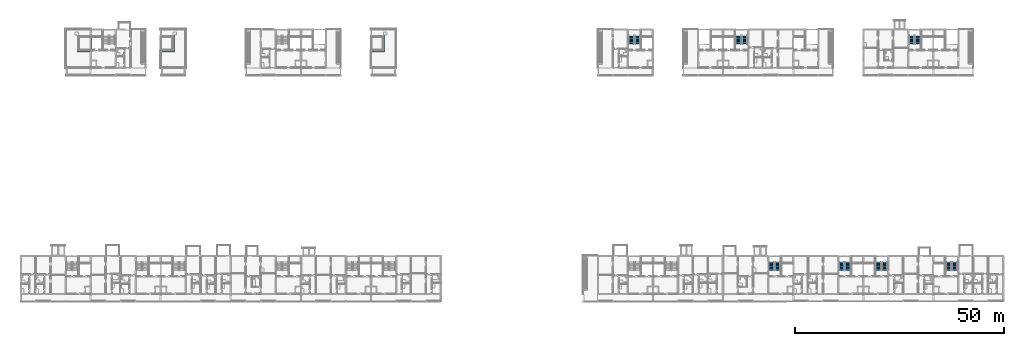
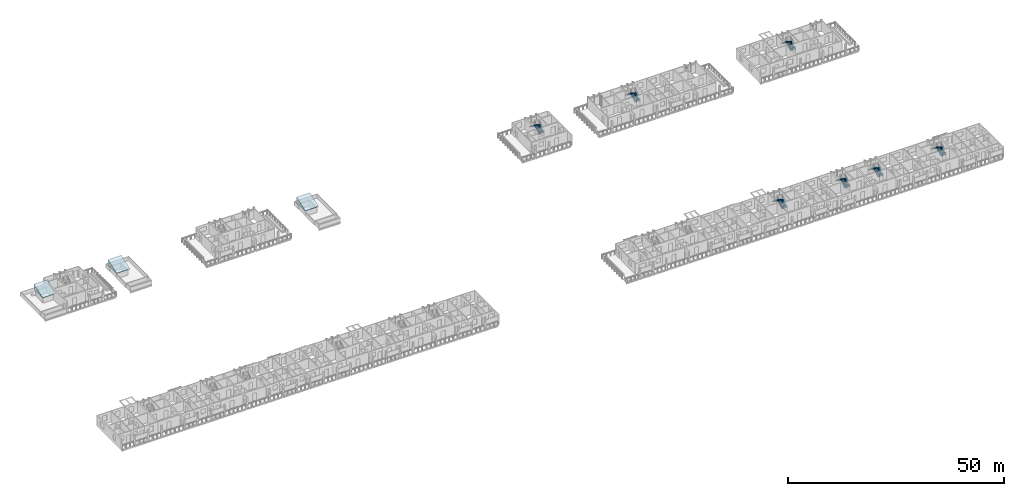
# One storey, part 63 of 87: 14 stair flights, 3 roofs, 7 elements without a shape of their own.
"""IFC4 building model written with IfcOpenShell, lengths in metres."""

from ifc_helpers import new_model, si_unit, direction, frame, origin, place, context, subcontext, project, spatial, polyline, outline, extrude, material, type_object, element, aggregate, save


model = new_model("IFC4")

# Units and contexts
model_context = context("Model", 3, precision=1e-05, world=origin(), true_north=direction((0.0, 1.0)))
body_context = subcontext(model_context, "Body", "Model", "MODEL_VIEW")
ifc_project = project(units=[si_unit("LENGTHUNIT", "METRE"), si_unit("AREAUNIT", "SQUARE_METRE"), si_unit("VOLUMEUNIT", "CUBIC_METRE"), si_unit("PLANEANGLEUNIT", "RADIAN"), si_unit("MASSUNIT", "GRAM", prefix="KILO")], contexts=[model_context])

# Site, building, storey
site_placement = place(None, origin())
site = spatial("IfcSite", under=ifc_project, at=site_placement, CompositionType="ELEMENT")
building_placement = place(site_placement, origin())
building = spatial("IfcBuilding", under=site, at=building_placement, Name="Ridgestep Commons", CompositionType="ELEMENT")
storey_placement = place(building_placement, frame((0.0, 0.0, 27.0)))
storey = spatial("IfcBuildingStorey", under=building, at=storey_placement, Name="L09", CompositionType="ELEMENT", Elevation=27.0)

# Stair, stair flights
ifc_material_1 = material(Name="Precast concrete C40/50", Category="concrete")
stair_type = type_object("IfcStairType", Name="Escape stair 1400", PredefinedType="HALF_TURN_STAIR", material=ifc_material_1)
stair_1_placement = place(storey_placement, origin())
stair_1 = element("IfcStair", 1, at=stair_1_placement, inside=storey, type_object=stair_type, Name="L09 Escape stair C1C", PredefinedType="HALF_TURN_STAIR")
ifc_material_2 = material(Name="Precast concrete C40/50", Category="concrete")
stair_flight_type = type_object("IfcStairFlightType", Name="Stair flight 1400", PredefinedType="STRAIGHT", material=ifc_material_2)
stair_flight_1_placement = place(storey_placement, frame((159.925048828125, 73.60009765625, 0.0), z_axis=(0.0, 0.0, 1.0), x_axis=(0.0, 1.0, 0.0)))
stair_flight_1 = element("IfcStairFlight", 2, at=stair_flight_1_placement, type_object=stair_flight_type, Name="C1C flight 1", NumberOfRisers=8, NumberOfTreads=7, PredefinedType="STRAIGHT", RiserHeight=0.1875, TreadLength=0.28, context=body_context, shape_type="SweptSolid", body=[
    extrude(outline(polyline([(0.0, 0.0), (0.0, 0.1875), (0.280029296875, 0.1875), (0.280029296875, 0.375), (0.56005859375, 0.375), (0.56005859375, 0.5625), (0.840087890625, 0.5625), (0.840087890625, 0.75), (1.1201171875, 0.75), (1.1201171875, 0.9375), (1.39990234375, 0.9375), (1.39990234375, 1.125), (1.679931640625, 1.125), (1.679931640625, 1.3125), (1.9599609375, 1.3125), (1.9599609375, 1.5), (1.9599609375, 1.132080078125), (0.26953125, 0.0), (0.0, 0.0)])), frame((0.0, 0.699951171875, 0.0), z_axis=(0.0, -1.0, 0.0), x_axis=(1.0, 0.0, 0.0)), (0.0, 0.0, 1.0), 0.695068359375),
    extrude(outline(polyline([(0.0, 0.0), (0.0, 0.1875), (0.280029296875, 0.1875), (0.280029296875, 0.375), (0.56005859375, 0.375), (0.56005859375, 0.5625), (0.840087890625, 0.5625), (0.840087890625, 0.75), (1.1201171875, 0.75), (1.1201171875, 0.9375), (1.39990234375, 0.9375), (1.39990234375, 1.125), (1.679931640625, 1.125), (1.679931640625, 1.3125), (1.9599609375, 1.3125), (1.9599609375, 1.5), (1.9599609375, 1.132080078125), (0.26953125, 0.0), (0.0, 0.0)])), frame((0.0, -0.0048828125, 0.0), z_axis=(0.0, -1.0, 0.0), x_axis=(1.0, 0.0, 0.0)), (0.0, 0.0, 1.0), 0.695068359375),
])
stair_flight_2_placement = place(storey_placement, frame((158.425048828125, 75.56005859375, 1.5), z_axis=(0.0, 0.0, 1.0), x_axis=(0.0, -1.0, 0.0)))
stair_flight_2 = element("IfcStairFlight", 3, at=stair_flight_2_placement, type_object=stair_flight_type, Name="C1C flight 2", NumberOfRisers=8, NumberOfTreads=7, PredefinedType="STRAIGHT", RiserHeight=0.1875, TreadLength=0.28, context=body_context, shape_type="SweptSolid", body=[
    extrude(outline(polyline([(0.0, 0.0), (0.0, 0.1875), (0.280029296875, 0.1875), (0.280029296875, 0.375), (0.56005859375, 0.375), (0.56005859375, 0.5625), (0.840087890625, 0.5625), (0.840087890625, 0.75), (1.1201171875, 0.75), (1.1201171875, 0.9375), (1.39990234375, 0.9375), (1.39990234375, 1.125), (1.679931640625, 1.125), (1.679931640625, 1.3125), (1.9599609375, 1.3125), (1.9599609375, 1.5), (1.9599609375, 1.132080078125), (0.26953125, 0.0), (0.0, 0.0)])), frame((0.0, 0.699951171875, 0.0), z_axis=(0.0, -1.0, 0.0), x_axis=(1.0, 0.0, 0.0)), (0.0, 0.0, 1.0), 0.695068359375),
    extrude(outline(polyline([(0.0, 0.0), (0.0, 0.1875), (0.280029296875, 0.1875), (0.280029296875, 0.375), (0.56005859375, 0.375), (0.56005859375, 0.5625), (0.840087890625, 0.5625), (0.840087890625, 0.75), (1.1201171875, 0.75), (1.1201171875, 0.9375), (1.39990234375, 0.9375), (1.39990234375, 1.125), (1.679931640625, 1.125), (1.679931640625, 1.3125), (1.9599609375, 1.3125), (1.9599609375, 1.5), (1.9599609375, 1.132080078125), (0.26953125, 0.0), (0.0, 0.0)])), frame((0.0, -0.0048828125, 0.0), z_axis=(0.0, -1.0, 0.0), x_axis=(1.0, 0.0, 0.0)), (0.0, 0.0, 1.0), 0.695068359375),
])
aggregate(stair_1, [stair_flight_1, stair_flight_2])

stair_2_placement = place(storey_placement, origin())
stair_2 = element("IfcStair", 4, at=stair_2_placement, inside=storey, type_object=stair_type, Name="L09 Escape stair C3C", PredefinedType="HALF_TURN_STAIR")
stair_flight_3_placement = place(storey_placement, frame((185.574951171875, 73.60009765625, 0.0), z_axis=(0.0, 0.0, 1.0), x_axis=(0.0, 1.0, 0.0)))
stair_flight_3 = element("IfcStairFlight", 5, at=stair_flight_3_placement, type_object=stair_flight_type, Name="C3C flight 1", NumberOfRisers=8, NumberOfTreads=7, PredefinedType="STRAIGHT", RiserHeight=0.1875, TreadLength=0.28, context=body_context, shape_type="SweptSolid", body=[
    extrude(outline(polyline([(0.0, 0.0), (0.0, 0.1875), (0.280029296875, 0.1875), (0.280029296875, 0.375), (0.56005859375, 0.375), (0.56005859375, 0.5625), (0.840087890625, 0.5625), (0.840087890625, 0.75), (1.1201171875, 0.75), (1.1201171875, 0.9375), (1.39990234375, 0.9375), (1.39990234375, 1.125), (1.679931640625, 1.125), (1.679931640625, 1.3125), (1.9599609375, 1.3125), (1.9599609375, 1.5), (1.9599609375, 1.132080078125), (0.26953125, 0.0), (0.0, 0.0)])), frame((0.0, 0.699951171875, 0.0), z_axis=(0.0, -1.0, 0.0), x_axis=(1.0, 0.0, 0.0)), (0.0, 0.0, 1.0), 0.695068359375),
    extrude(outline(polyline([(0.0, 0.0), (0.0, 0.1875), (0.280029296875, 0.1875), (0.280029296875, 0.375), (0.56005859375, 0.375), (0.56005859375, 0.5625), (0.840087890625, 0.5625), (0.840087890625, 0.75), (1.1201171875, 0.75), (1.1201171875, 0.9375), (1.39990234375, 0.9375), (1.39990234375, 1.125), (1.679931640625, 1.125), (1.679931640625, 1.3125), (1.9599609375, 1.3125), (1.9599609375, 1.5), (1.9599609375, 1.132080078125), (0.26953125, 0.0), (0.0, 0.0)])), frame((0.0, -0.0048828125, 0.0), z_axis=(0.0, -1.0, 0.0), x_axis=(1.0, 0.0, 0.0)), (0.0, 0.0, 1.0), 0.695068359375),
])
stair_flight_4_placement = place(storey_placement, frame((184.074951171875, 75.56005859375, 1.5), z_axis=(0.0, 0.0, 1.0), x_axis=(0.0, -1.0, 0.0)))
stair_flight_4 = element("IfcStairFlight", 6, at=stair_flight_4_placement, type_object=stair_flight_type, Name="C3C flight 2", NumberOfRisers=8, NumberOfTreads=7, PredefinedType="STRAIGHT", RiserHeight=0.1875, TreadLength=0.28, context=body_context, shape_type="SweptSolid", body=[
    extrude(outline(polyline([(0.0, 0.0), (0.0, 0.1875), (0.280029296875, 0.1875), (0.280029296875, 0.375), (0.56005859375, 0.375), (0.56005859375, 0.5625), (0.840087890625, 0.5625), (0.840087890625, 0.75), (1.1201171875, 0.75), (1.1201171875, 0.9375), (1.39990234375, 0.9375), (1.39990234375, 1.125), (1.679931640625, 1.125), (1.679931640625, 1.3125), (1.9599609375, 1.3125), (1.9599609375, 1.5), (1.9599609375, 1.132080078125), (0.26953125, 0.0), (0.0, 0.0)])), frame((0.0, 0.699951171875, 0.0), z_axis=(0.0, -1.0, 0.0), x_axis=(1.0, 0.0, 0.0)), (0.0, 0.0, 1.0), 0.695068359375),
    extrude(outline(polyline([(0.0, 0.0), (0.0, 0.1875), (0.280029296875, 0.1875), (0.280029296875, 0.375), (0.56005859375, 0.375), (0.56005859375, 0.5625), (0.840087890625, 0.5625), (0.840087890625, 0.75), (1.1201171875, 0.75), (1.1201171875, 0.9375), (1.39990234375, 0.9375), (1.39990234375, 1.125), (1.679931640625, 1.125), (1.679931640625, 1.3125), (1.9599609375, 1.3125), (1.9599609375, 1.5), (1.9599609375, 1.132080078125), (0.26953125, 0.0), (0.0, 0.0)])), frame((0.0, -0.0048828125, 0.0), z_axis=(0.0, -1.0, 0.0), x_axis=(1.0, 0.0, 0.0)), (0.0, 0.0, 1.0), 0.695068359375),
])
aggregate(stair_2, [stair_flight_3, stair_flight_4])

stair_3_placement = place(storey_placement, origin())
stair_3 = element("IfcStair", 7, at=stair_3_placement, inside=storey, type_object=stair_type, Name="L09 Escape stair C5C", PredefinedType="HALF_TURN_STAIR")
stair_flight_5_placement = place(storey_placement, frame((227.125, 73.60009765625, 0.0), z_axis=(0.0, 0.0, 1.0), x_axis=(0.0, 1.0, 0.0)))
stair_flight_5 = element("IfcStairFlight", 8, at=stair_flight_5_placement, type_object=stair_flight_type, Name="C5C flight 1", NumberOfRisers=8, NumberOfTreads=7, PredefinedType="STRAIGHT", RiserHeight=0.1875, TreadLength=0.28, context=body_context, shape_type="SweptSolid", body=[
    extrude(outline(polyline([(0.0, 0.0), (0.0, 0.1875), (0.280029296875, 0.1875), (0.280029296875, 0.375), (0.56005859375, 0.375), (0.56005859375, 0.5625), (0.840087890625, 0.5625), (0.840087890625, 0.75), (1.1201171875, 0.75), (1.1201171875, 0.9375), (1.39990234375, 0.9375), (1.39990234375, 1.125), (1.679931640625, 1.125), (1.679931640625, 1.3125), (1.9599609375, 1.3125), (1.9599609375, 1.5), (1.9599609375, 1.132080078125), (0.26953125, 0.0), (0.0, 0.0)])), frame((0.0, 0.699951171875, 0.0), z_axis=(0.0, -1.0, 0.0), x_axis=(1.0, 0.0, 0.0)), (0.0, 0.0, 1.0), 0.695068359375),
    extrude(outline(polyline([(0.0, 0.0), (0.0, 0.1875), (0.280029296875, 0.1875), (0.280029296875, 0.375), (0.56005859375, 0.375), (0.56005859375, 0.5625), (0.840087890625, 0.5625), (0.840087890625, 0.75), (1.1201171875, 0.75), (1.1201171875, 0.9375), (1.39990234375, 0.9375), (1.39990234375, 1.125), (1.679931640625, 1.125), (1.679931640625, 1.3125), (1.9599609375, 1.3125), (1.9599609375, 1.5), (1.9599609375, 1.132080078125), (0.26953125, 0.0), (0.0, 0.0)])), frame((0.0, -0.0048828125, 0.0), z_axis=(0.0, -1.0, 0.0), x_axis=(1.0, 0.0, 0.0)), (0.0, 0.0, 1.0), 0.695068359375),
])
stair_flight_6_placement = place(storey_placement, frame((225.625, 75.56005859375, 1.5), z_axis=(0.0, 0.0, 1.0), x_axis=(0.0, -1.0, 0.0)))
stair_flight_6 = element("IfcStairFlight", 9, at=stair_flight_6_placement, type_object=stair_flight_type, Name="C5C flight 2", NumberOfRisers=8, NumberOfTreads=7, PredefinedType="STRAIGHT", RiserHeight=0.1875, TreadLength=0.28, context=body_context, shape_type="SweptSolid", body=[
    extrude(outline(polyline([(0.0, 0.0), (0.0, 0.1875), (0.280029296875, 0.1875), (0.280029296875, 0.375), (0.56005859375, 0.375), (0.56005859375, 0.5625), (0.840087890625, 0.5625), (0.840087890625, 0.75), (1.1201171875, 0.75), (1.1201171875, 0.9375), (1.39990234375, 0.9375), (1.39990234375, 1.125), (1.679931640625, 1.125), (1.679931640625, 1.3125), (1.9599609375, 1.3125), (1.9599609375, 1.5), (1.9599609375, 1.132080078125), (0.26953125, 0.0), (0.0, 0.0)])), frame((0.0, 0.699951171875, 0.0), z_axis=(0.0, -1.0, 0.0), x_axis=(1.0, 0.0, 0.0)), (0.0, 0.0, 1.0), 0.695068359375),
    extrude(outline(polyline([(0.0, 0.0), (0.0, 0.1875), (0.280029296875, 0.1875), (0.280029296875, 0.375), (0.56005859375, 0.375), (0.56005859375, 0.5625), (0.840087890625, 0.5625), (0.840087890625, 0.75), (1.1201171875, 0.75), (1.1201171875, 0.9375), (1.39990234375, 0.9375), (1.39990234375, 1.125), (1.679931640625, 1.125), (1.679931640625, 1.3125), (1.9599609375, 1.3125), (1.9599609375, 1.5), (1.9599609375, 1.132080078125), (0.26953125, 0.0), (0.0, 0.0)])), frame((0.0, -0.0048828125, 0.0), z_axis=(0.0, -1.0, 0.0), x_axis=(1.0, 0.0, 0.0)), (0.0, 0.0, 1.0), 0.695068359375),
])
aggregate(stair_3, [stair_flight_5, stair_flight_6])

stair_4_placement = place(storey_placement, origin())
stair_4 = element("IfcStair", 10, at=stair_4_placement, inside=storey, type_object=stair_type, Name="L09 Escape stair D3C", PredefinedType="HALF_TURN_STAIR")
stair_flight_7_placement = place(storey_placement, frame((193.52490234375, 19.35009765625, 0.0), z_axis=(0.0, 0.0, 1.0), x_axis=(0.0, 1.0, 0.0)))
stair_flight_7 = element("IfcStairFlight", 11, at=stair_flight_7_placement, type_object=stair_flight_type, Name="D3C flight 1", NumberOfRisers=8, NumberOfTreads=7, PredefinedType="STRAIGHT", RiserHeight=0.1875, TreadLength=0.28, context=body_context, shape_type="SweptSolid", body=[
    extrude(outline(polyline([(0.0, 0.0), (0.0, 0.1875), (0.280029296875, 0.1875), (0.280029296875, 0.375), (0.56005859375, 0.375), (0.56005859375, 0.5625), (0.840087890625, 0.5625), (0.840087890625, 0.75), (1.1201171875, 0.75), (1.1201171875, 0.9375), (1.39990234375, 0.9375), (1.39990234375, 1.125), (1.679931640625, 1.125), (1.679931640625, 1.3125), (1.9599609375, 1.3125), (1.9599609375, 1.5), (1.9599609375, 1.132080078125), (0.26953125, 0.0), (0.0, 0.0)])), frame((0.0, 0.699951171875, 0.0), z_axis=(0.0, -1.0, 0.0), x_axis=(1.0, 0.0, 0.0)), (0.0, 0.0, 1.0), 0.695068359375),
    extrude(outline(polyline([(0.0, 0.0), (0.0, 0.1875), (0.280029296875, 0.1875), (0.280029296875, 0.375), (0.56005859375, 0.375), (0.56005859375, 0.5625), (0.840087890625, 0.5625), (0.840087890625, 0.75), (1.1201171875, 0.75), (1.1201171875, 0.9375), (1.39990234375, 0.9375), (1.39990234375, 1.125), (1.679931640625, 1.125), (1.679931640625, 1.3125), (1.9599609375, 1.3125), (1.9599609375, 1.5), (1.9599609375, 1.132080078125), (0.26953125, 0.0), (0.0, 0.0)])), frame((0.0, -0.0048828125, 0.0), z_axis=(0.0, -1.0, 0.0), x_axis=(1.0, 0.0, 0.0)), (0.0, 0.0, 1.0), 0.695068359375),
])
stair_flight_8_placement = place(storey_placement, frame((192.02490234375, 21.31005859375, 1.5), z_axis=(0.0, 0.0, 1.0), x_axis=(0.0, -1.0, 0.0)))
stair_flight_8 = element("IfcStairFlight", 12, at=stair_flight_8_placement, type_object=stair_flight_type, Name="D3C flight 2", NumberOfRisers=8, NumberOfTreads=7, PredefinedType="STRAIGHT", RiserHeight=0.1875, TreadLength=0.28, context=body_context, shape_type="SweptSolid", body=[
    extrude(outline(polyline([(0.0, 0.0), (0.0, 0.1875), (0.280029296875, 0.1875), (0.280029296875, 0.375), (0.56005859375, 0.375), (0.56005859375, 0.5625), (0.840087890625, 0.5625), (0.840087890625, 0.75), (1.1201171875, 0.75), (1.1201171875, 0.9375), (1.39990234375, 0.9375), (1.39990234375, 1.125), (1.679931640625, 1.125), (1.679931640625, 1.3125), (1.9599609375, 1.3125), (1.9599609375, 1.5), (1.9599609375, 1.132080078125), (0.26953125, 0.0), (0.0, 0.0)])), frame((0.0, 0.699951171875, 0.0), z_axis=(0.0, -1.0, 0.0), x_axis=(1.0, 0.0, 0.0)), (0.0, 0.0, 1.0), 0.695068359375),
    extrude(outline(polyline([(0.0, 0.0), (0.0, 0.1875), (0.280029296875, 0.1875), (0.280029296875, 0.375), (0.56005859375, 0.375), (0.56005859375, 0.5625), (0.840087890625, 0.5625), (0.840087890625, 0.75), (1.1201171875, 0.75), (1.1201171875, 0.9375), (1.39990234375, 0.9375), (1.39990234375, 1.125), (1.679931640625, 1.125), (1.679931640625, 1.3125), (1.9599609375, 1.3125), (1.9599609375, 1.5), (1.9599609375, 1.132080078125), (0.26953125, 0.0), (0.0, 0.0)])), frame((0.0, -0.0048828125, 0.0), z_axis=(0.0, -1.0, 0.0), x_axis=(1.0, 0.0, 0.0)), (0.0, 0.0, 1.0), 0.695068359375),
])
aggregate(stair_4, [stair_flight_7, stair_flight_8])

stair_5_placement = place(storey_placement, origin())
stair_5 = element("IfcStair", 13, at=stair_5_placement, inside=storey, type_object=stair_type, Name="L09 Escape stair D4C", PredefinedType="HALF_TURN_STAIR")
stair_flight_9_placement = place(storey_placement, frame((210.324951171875, 19.35009765625, 0.0), z_axis=(0.0, 0.0, 1.0), x_axis=(0.0, 1.0, 0.0)))
stair_flight_9 = element("IfcStairFlight", 14, at=stair_flight_9_placement, type_object=stair_flight_type, Name="D4C flight 1", NumberOfRisers=8, NumberOfTreads=7, PredefinedType="STRAIGHT", RiserHeight=0.1875, TreadLength=0.28, context=body_context, shape_type="SweptSolid", body=[
    extrude(outline(polyline([(0.0, 0.0), (0.0, 0.1875), (0.280029296875, 0.1875), (0.280029296875, 0.375), (0.56005859375, 0.375), (0.56005859375, 0.5625), (0.840087890625, 0.5625), (0.840087890625, 0.75), (1.1201171875, 0.75), (1.1201171875, 0.9375), (1.39990234375, 0.9375), (1.39990234375, 1.125), (1.679931640625, 1.125), (1.679931640625, 1.3125), (1.9599609375, 1.3125), (1.9599609375, 1.5), (1.9599609375, 1.132080078125), (0.26953125, 0.0), (0.0, 0.0)])), frame((0.0, 0.699951171875, 0.0), z_axis=(0.0, -1.0, 0.0), x_axis=(1.0, 0.0, 0.0)), (0.0, 0.0, 1.0), 0.695068359375),
    extrude(outline(polyline([(0.0, 0.0), (0.0, 0.1875), (0.280029296875, 0.1875), (0.280029296875, 0.375), (0.56005859375, 0.375), (0.56005859375, 0.5625), (0.840087890625, 0.5625), (0.840087890625, 0.75), (1.1201171875, 0.75), (1.1201171875, 0.9375), (1.39990234375, 0.9375), (1.39990234375, 1.125), (1.679931640625, 1.125), (1.679931640625, 1.3125), (1.9599609375, 1.3125), (1.9599609375, 1.5), (1.9599609375, 1.132080078125), (0.26953125, 0.0), (0.0, 0.0)])), frame((0.0, -0.0048828125, 0.0), z_axis=(0.0, -1.0, 0.0), x_axis=(1.0, 0.0, 0.0)), (0.0, 0.0, 1.0), 0.695068359375),
])
stair_flight_10_placement = place(storey_placement, frame((208.824951171875, 21.31005859375, 1.5), z_axis=(0.0, 0.0, 1.0), x_axis=(0.0, -1.0, 0.0)))
stair_flight_10 = element("IfcStairFlight", 15, at=stair_flight_10_placement, type_object=stair_flight_type, Name="D4C flight 2", NumberOfRisers=8, NumberOfTreads=7, PredefinedType="STRAIGHT", RiserHeight=0.1875, TreadLength=0.28, context=body_context, shape_type="SweptSolid", body=[
    extrude(outline(polyline([(0.0, 0.0), (0.0, 0.1875), (0.280029296875, 0.1875), (0.280029296875, 0.375), (0.56005859375, 0.375), (0.56005859375, 0.5625), (0.840087890625, 0.5625), (0.840087890625, 0.75), (1.1201171875, 0.75), (1.1201171875, 0.9375), (1.39990234375, 0.9375), (1.39990234375, 1.125), (1.679931640625, 1.125), (1.679931640625, 1.3125), (1.9599609375, 1.3125), (1.9599609375, 1.5), (1.9599609375, 1.132080078125), (0.26953125, 0.0), (0.0, 0.0)])), frame((0.0, 0.699951171875, 0.0), z_axis=(0.0, -1.0, 0.0), x_axis=(1.0, 0.0, 0.0)), (0.0, 0.0, 1.0), 0.695068359375),
    extrude(outline(polyline([(0.0, 0.0), (0.0, 0.1875), (0.280029296875, 0.1875), (0.280029296875, 0.375), (0.56005859375, 0.375), (0.56005859375, 0.5625), (0.840087890625, 0.5625), (0.840087890625, 0.75), (1.1201171875, 0.75), (1.1201171875, 0.9375), (1.39990234375, 0.9375), (1.39990234375, 1.125), (1.679931640625, 1.125), (1.679931640625, 1.3125), (1.9599609375, 1.3125), (1.9599609375, 1.5), (1.9599609375, 1.132080078125), (0.26953125, 0.0), (0.0, 0.0)])), frame((0.0, -0.0048828125, 0.0), z_axis=(0.0, -1.0, 0.0), x_axis=(1.0, 0.0, 0.0)), (0.0, 0.0, 1.0), 0.695068359375),
])
aggregate(stair_5, [stair_flight_9, stair_flight_10])

stair_6_placement = place(storey_placement, origin())
stair_6 = element("IfcStair", 16, at=stair_6_placement, inside=storey, type_object=stair_type, Name="L09 Escape stair D5C", PredefinedType="HALF_TURN_STAIR")
stair_flight_11_placement = place(storey_placement, frame((219.175048828125, 19.35009765625, 0.0), z_axis=(0.0, 0.0, 1.0), x_axis=(0.0, 1.0, 0.0)))
stair_flight_11 = element("IfcStairFlight", 17, at=stair_flight_11_placement, type_object=stair_flight_type, Name="D5C flight 1", NumberOfRisers=8, NumberOfTreads=7, PredefinedType="STRAIGHT", RiserHeight=0.1875, TreadLength=0.28, context=body_context, shape_type="SweptSolid", body=[
    extrude(outline(polyline([(0.0, 0.0), (0.0, 0.1875), (0.280029296875, 0.1875), (0.280029296875, 0.375), (0.56005859375, 0.375), (0.56005859375, 0.5625), (0.840087890625, 0.5625), (0.840087890625, 0.75), (1.1201171875, 0.75), (1.1201171875, 0.9375), (1.39990234375, 0.9375), (1.39990234375, 1.125), (1.679931640625, 1.125), (1.679931640625, 1.3125), (1.9599609375, 1.3125), (1.9599609375, 1.5), (1.9599609375, 1.132080078125), (0.26953125, 0.0), (0.0, 0.0)])), frame((0.0, 0.699951171875, 0.0), z_axis=(0.0, -1.0, 0.0), x_axis=(1.0, 0.0, 0.0)), (0.0, 0.0, 1.0), 0.695068359375),
    extrude(outline(polyline([(0.0, 0.0), (0.0, 0.1875), (0.280029296875, 0.1875), (0.280029296875, 0.375), (0.56005859375, 0.375), (0.56005859375, 0.5625), (0.840087890625, 0.5625), (0.840087890625, 0.75), (1.1201171875, 0.75), (1.1201171875, 0.9375), (1.39990234375, 0.9375), (1.39990234375, 1.125), (1.679931640625, 1.125), (1.679931640625, 1.3125), (1.9599609375, 1.3125), (1.9599609375, 1.5), (1.9599609375, 1.132080078125), (0.26953125, 0.0), (0.0, 0.0)])), frame((0.0, -0.0048828125, 0.0), z_axis=(0.0, -1.0, 0.0), x_axis=(1.0, 0.0, 0.0)), (0.0, 0.0, 1.0), 0.695068359375),
])
stair_flight_12_placement = place(storey_placement, frame((217.675048828125, 21.31005859375, 1.5), z_axis=(0.0, 0.0, 1.0), x_axis=(0.0, -1.0, 0.0)))
stair_flight_12 = element("IfcStairFlight", 18, at=stair_flight_12_placement, type_object=stair_flight_type, Name="D5C flight 2", NumberOfRisers=8, NumberOfTreads=7, PredefinedType="STRAIGHT", RiserHeight=0.1875, TreadLength=0.28, context=body_context, shape_type="SweptSolid", body=[
    extrude(outline(polyline([(0.0, 0.0), (0.0, 0.1875), (0.280029296875, 0.1875), (0.280029296875, 0.375), (0.56005859375, 0.375), (0.56005859375, 0.5625), (0.840087890625, 0.5625), (0.840087890625, 0.75), (1.1201171875, 0.75), (1.1201171875, 0.9375), (1.39990234375, 0.9375), (1.39990234375, 1.125), (1.679931640625, 1.125), (1.679931640625, 1.3125), (1.9599609375, 1.3125), (1.9599609375, 1.5), (1.9599609375, 1.132080078125), (0.26953125, 0.0), (0.0, 0.0)])), frame((0.0, 0.699951171875, 0.0), z_axis=(0.0, -1.0, 0.0), x_axis=(1.0, 0.0, 0.0)), (0.0, 0.0, 1.0), 0.695068359375),
    extrude(outline(polyline([(0.0, 0.0), (0.0, 0.1875), (0.280029296875, 0.1875), (0.280029296875, 0.375), (0.56005859375, 0.375), (0.56005859375, 0.5625), (0.840087890625, 0.5625), (0.840087890625, 0.75), (1.1201171875, 0.75), (1.1201171875, 0.9375), (1.39990234375, 0.9375), (1.39990234375, 1.125), (1.679931640625, 1.125), (1.679931640625, 1.3125), (1.9599609375, 1.3125), (1.9599609375, 1.5), (1.9599609375, 1.132080078125), (0.26953125, 0.0), (0.0, 0.0)])), frame((0.0, -0.0048828125, 0.0), z_axis=(0.0, -1.0, 0.0), x_axis=(1.0, 0.0, 0.0)), (0.0, 0.0, 1.0), 0.695068359375),
])
aggregate(stair_6, [stair_flight_11, stair_flight_12])

stair_7_placement = place(storey_placement, origin())
stair_7 = element("IfcStair", 19, at=stair_7_placement, inside=storey, type_object=stair_type, Name="L09 Escape stair D6C", PredefinedType="HALF_TURN_STAIR")
stair_flight_13_placement = place(storey_placement, frame((235.97509765625, 19.35009765625, 0.0), z_axis=(0.0, 0.0, 1.0), x_axis=(0.0, 1.0, 0.0)))
stair_flight_13 = element("IfcStairFlight", 20, at=stair_flight_13_placement, type_object=stair_flight_type, Name="D6C flight 1", NumberOfRisers=8, NumberOfTreads=7, PredefinedType="STRAIGHT", RiserHeight=0.1875, TreadLength=0.28, context=body_context, shape_type="SweptSolid", body=[
    extrude(outline(polyline([(0.0, 0.0), (0.0, 0.1875), (0.280029296875, 0.1875), (0.280029296875, 0.375), (0.56005859375, 0.375), (0.56005859375, 0.5625), (0.840087890625, 0.5625), (0.840087890625, 0.75), (1.1201171875, 0.75), (1.1201171875, 0.9375), (1.39990234375, 0.9375), (1.39990234375, 1.125), (1.679931640625, 1.125), (1.679931640625, 1.3125), (1.9599609375, 1.3125), (1.9599609375, 1.5), (1.9599609375, 1.132080078125), (0.26953125, 0.0), (0.0, 0.0)])), frame((0.0, 0.699951171875, 0.0), z_axis=(0.0, -1.0, 0.0), x_axis=(1.0, 0.0, 0.0)), (0.0, 0.0, 1.0), 0.695068359375),
    extrude(outline(polyline([(0.0, 0.0), (0.0, 0.1875), (0.280029296875, 0.1875), (0.280029296875, 0.375), (0.56005859375, 0.375), (0.56005859375, 0.5625), (0.840087890625, 0.5625), (0.840087890625, 0.75), (1.1201171875, 0.75), (1.1201171875, 0.9375), (1.39990234375, 0.9375), (1.39990234375, 1.125), (1.679931640625, 1.125), (1.679931640625, 1.3125), (1.9599609375, 1.3125), (1.9599609375, 1.5), (1.9599609375, 1.132080078125), (0.26953125, 0.0), (0.0, 0.0)])), frame((0.0, -0.0048828125, 0.0), z_axis=(0.0, -1.0, 0.0), x_axis=(1.0, 0.0, 0.0)), (0.0, 0.0, 1.0), 0.695068359375),
])
stair_flight_14_placement = place(storey_placement, frame((234.47509765625, 21.31005859375, 1.5), z_axis=(0.0, 0.0, 1.0), x_axis=(0.0, -1.0, 0.0)))
stair_flight_14 = element("IfcStairFlight", 21, at=stair_flight_14_placement, type_object=stair_flight_type, Name="D6C flight 2", NumberOfRisers=8, NumberOfTreads=7, PredefinedType="STRAIGHT", RiserHeight=0.1875, TreadLength=0.28, context=body_context, shape_type="SweptSolid", body=[
    extrude(outline(polyline([(0.0, 0.0), (0.0, 0.1875), (0.280029296875, 0.1875), (0.280029296875, 0.375), (0.56005859375, 0.375), (0.56005859375, 0.5625), (0.840087890625, 0.5625), (0.840087890625, 0.75), (1.1201171875, 0.75), (1.1201171875, 0.9375), (1.39990234375, 0.9375), (1.39990234375, 1.125), (1.679931640625, 1.125), (1.679931640625, 1.3125), (1.9599609375, 1.3125), (1.9599609375, 1.5), (1.9599609375, 1.132080078125), (0.26953125, 0.0), (0.0, 0.0)])), frame((0.0, 0.699951171875, 0.0), z_axis=(0.0, -1.0, 0.0), x_axis=(1.0, 0.0, 0.0)), (0.0, 0.0, 1.0), 0.695068359375),
    extrude(outline(polyline([(0.0, 0.0), (0.0, 0.1875), (0.280029296875, 0.1875), (0.280029296875, 0.375), (0.56005859375, 0.375), (0.56005859375, 0.5625), (0.840087890625, 0.5625), (0.840087890625, 0.75), (1.1201171875, 0.75), (1.1201171875, 0.9375), (1.39990234375, 0.9375), (1.39990234375, 1.125), (1.679931640625, 1.125), (1.679931640625, 1.3125), (1.9599609375, 1.3125), (1.9599609375, 1.5), (1.9599609375, 1.132080078125), (0.26953125, 0.0), (0.0, 0.0)])), frame((0.0, -0.0048828125, 0.0), z_axis=(0.0, -1.0, 0.0), x_axis=(1.0, 0.0, 0.0)), (0.0, 0.0, 1.0), 0.695068359375),
])
aggregate(stair_7, [stair_flight_13, stair_flight_14])

# Roofs
ifc_material_3 = material(Name="Zinc-aluminium profiled sheet", Category="aluminium")
roof_type = type_object("IfcRoofType", Name="Monopitch crown 3575 x 4000", PredefinedType="SHED_ROOF", material=ifc_material_3)
for number, where, z_axis, x_axis, name in (
    (22, (27.3125, 75.699951171875, 1.699951171875), (0.0, 0.0, 1.0), (0.0, -1.0, 0.0), "Monopitch crown B1C"),
    (23, (47.08740234375, 75.699951171875, 1.699951171875), (0.0, 0.0, 1.0), (0.0, -1.0, 0.0), "Monopitch crown B3C"),
    (24, (97.487548828125, 75.699951171875, 1.699951171875), (0.0, 0.0, 1.0), (0.0, -1.0, 0.0), "Monopitch crown B6C"),
):
    element("IfcRoof", number, at=place(storey_placement, frame(where, z_axis=z_axis, x_axis=x_axis)), inside=storey, type_object=roof_type, Name=name, PredefinedType="SHED_ROOF", context=body_context, shape_type="SweptSolid", body=[
        extrude(outline(polyline([(0.0, 0.0), (4.0, 0.0), (4.0, 0.1201171875), (0.0, 1.575927734375), (0.0, 0.0)])), frame((0.0, 1.78759765625, 0.0), z_axis=(0.0, -1.0, 0.0), x_axis=(1.0, 0.0, 0.0)), (0.0, 0.0, 1.0), 3.574951171875),
    ])

save(model, "model.ifc")
